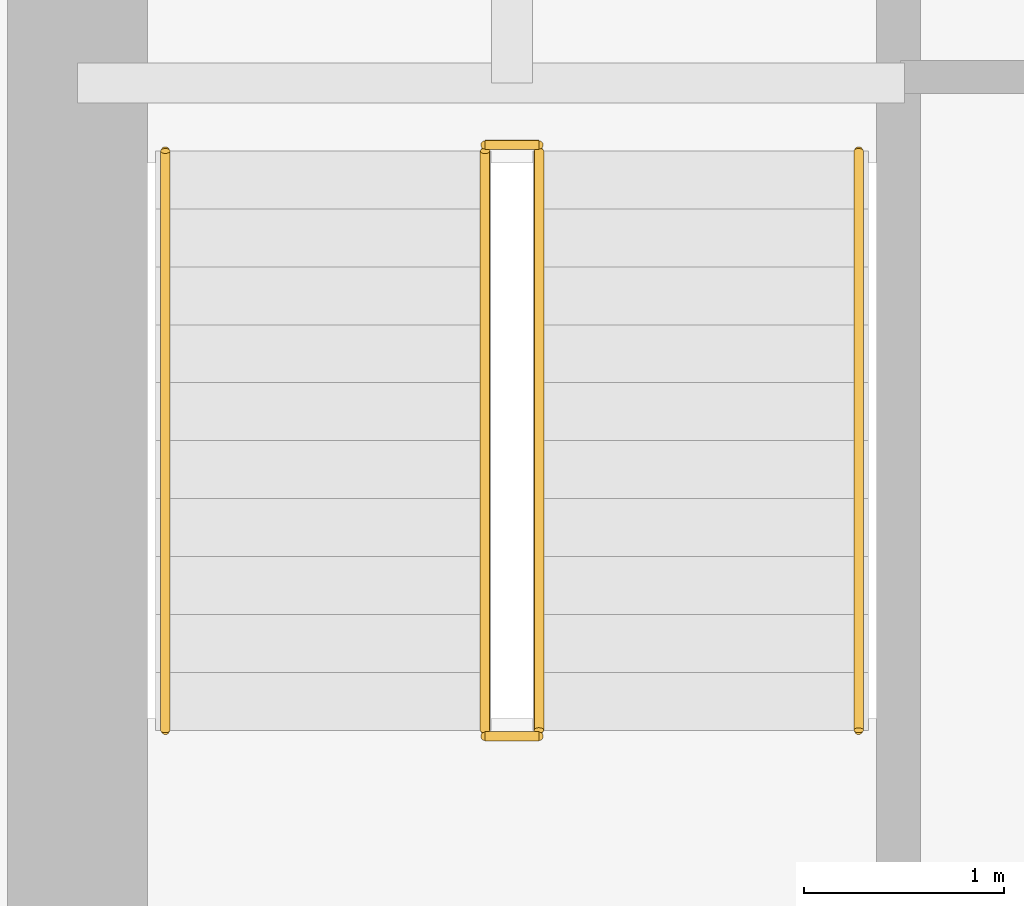
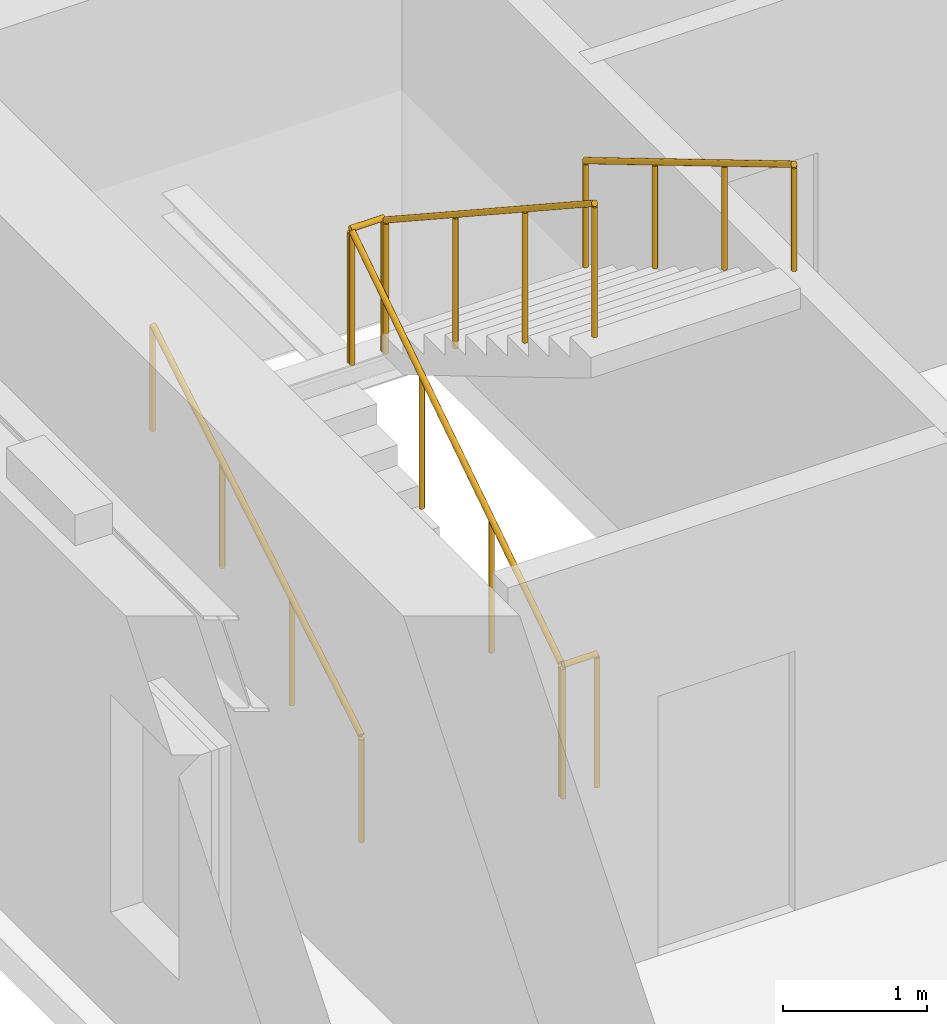
# One storey, part 9 of 11: 6 railings.
"""IFC4 building model written with IfcOpenShell, lengths in metres."""

from ifc_helpers import new_model, si_unit, direction, frame, origin, origin_2d, place, context, subcontext, project, spatial, circle, extrude, material, type_object, element, save


model = new_model("IFC4")

# Units and contexts
model_context = context("Model", 3, precision=1e-05, world=origin(), true_north=direction((0.0, 1.0)))
body_context = subcontext(model_context, "Body", "Model", "MODEL_VIEW")
ifc_project = project(units=[si_unit("LENGTHUNIT", "METRE"), si_unit("AREAUNIT", "SQUARE_METRE"), si_unit("VOLUMEUNIT", "CUBIC_METRE"), si_unit("PLANEANGLEUNIT", "RADIAN"), si_unit("MASSUNIT", "GRAM", prefix="KILO")], contexts=[model_context])

# Site, building, storey
site_placement = place(None, origin())
site = spatial("IfcSite", under=ifc_project, at=site_placement, CompositionType="ELEMENT")
building_placement = place(site_placement, origin())
building = spatial("IfcBuilding", under=site, at=building_placement, Name="Norrvale University Quadrangle", CompositionType="ELEMENT")
storey_placement = place(building_placement, frame((0.0, 0.0, 128.0)))
storey = spatial("IfcBuildingStorey", under=building, at=storey_placement, Name="L32", CompositionType="ELEMENT", Elevation=128.0)

# Railings
ifc_material_1 = material(Name="Steel 350W Painted Balustrade", Category="steel")
railing_type_1 = type_object("IfcRailingType", Name="Railing Stair Guard 1100", PredefinedType="GUARDRAIL", material=ifc_material_1)
for number, where, name in (
    (1, (4.239990234375, 42.02001953125, 0.0), "Stair Floor Well Guard ST-02 L32"),
    (2, (4.239990234375, 44.97998046875, 1.89990234375), "Stair Mid-Landing Slot Guard ST-02 L32"),
):
    element("IfcRailing", number, at=place(storey_placement, frame(where)), inside=storey, type_object=railing_type_1, Name=name, PredefinedType="GUARDRAIL", context=body_context, shape_type="SweptSolid", body=[
        extrude(circle(Radius=0.02392578125, at=origin_2d()), frame((0.0, 0.0, 1.1259765625), z_axis=(1.0, 0.0, 0.0), x_axis=(0.0, 1.0, 0.0)), (0.0, 0.0, 1.0), 0.27001953125),
        extrude(circle(Radius=0.02099609375, at=origin_2d()), origin(), (0.0, 0.0, 1.0), 1.101806640625),
        extrude(circle(Radius=0.02099609375, at=origin_2d()), frame((0.27001953125, 0.0, 0.0)), (0.0, 0.0, 1.0), 1.101806640625),
    ])
railing_1_placement = place(storey_placement, frame((4.239990234375, 42.050048828125, 0.0)))
element("IfcRailing", 3, at=railing_1_placement, inside=storey, type_object=railing_type_1, Name="Stair Lower Flight Inner Guard ST-02 L32", PredefinedType="GUARDRAIL", context=body_context, shape_type="SweptSolid", body=[
    extrude(circle(Radius=0.02392578125, at=origin_2d()), frame((0.0, 0.0, 1.1259765625), z_axis=(0.0, 0.836465582154, 0.548019461216), x_axis=(-1.0, 0.0, 0.0)), (0.0, 0.0, 1.0), 3.466796875),
    extrude(circle(Radius=0.02099609375, at=origin_2d()), origin(), (0.0, 0.0, 1.0), 1.101806640625),
    extrude(circle(Radius=0.02099609375, at=origin_2d()), frame((0.0, 0.966552734375, 0.63330078125)), (0.0, 0.0, 1.0), 1.101806640625),
    extrude(circle(Radius=0.02099609375, at=origin_2d()), frame((0.0, 1.933349609375, 1.2666015625)), (0.0, 0.0, 1.0), 1.101806640625),
    extrude(circle(Radius=0.02099609375, at=origin_2d()), frame((0.0, 2.89990234375, 1.89990234375)), (0.0, 0.0, 1.0), 1.101806640625),
])
railing_2_placement = place(storey_placement, frame((4.510009765625, 44.949951171875, 1.89990234375)))
element("IfcRailing", 4, at=railing_2_placement, inside=storey, type_object=railing_type_1, Name="Stair Upper Flight Inner Guard ST-02 L32", PredefinedType="GUARDRAIL", context=body_context, shape_type="SweptSolid", body=[
    extrude(circle(Radius=0.02392578125, at=origin_2d()), frame((0.0, 0.0, 1.1259765625), z_axis=(0.0, -0.836433300813, 0.548068730445), x_axis=(1.0, 0.0, 0.0)), (0.0, 0.0, 1.0), 3.467041015625),
    extrude(circle(Radius=0.02099609375, at=origin_2d()), origin(), (0.0, 0.0, 1.0), 1.101806640625),
    extrude(circle(Radius=0.02099609375, at=origin_2d()), frame((0.0, -0.966552734375, 0.63330078125)), (0.0, 0.0, 1.0), 1.101806640625),
    extrude(circle(Radius=0.02099609375, at=origin_2d()), frame((0.0, -1.933349609375, 1.266845703125)), (0.0, 0.0, 1.0), 1.101806640625),
    extrude(circle(Radius=0.02099609375, at=origin_2d()), frame((0.0, -2.89990234375, 1.900146484375)), (0.0, 0.0, 1.0), 1.101806640625),
])
ifc_material_2 = material(Name="Stainless Steel 316L Handrail", Category="steel")
railing_type_2 = type_object("IfcRailingType", Name="Railing Stair Handrail 920", PredefinedType="HANDRAIL", material=ifc_material_2)
railing_3_placement = place(storey_placement, frame((2.639892578125, 42.050048828125, 0.172607421875)))
element("IfcRailing", 5, at=railing_3_placement, inside=storey, type_object=railing_type_2, Name="Stair Lower Flight Handrail ST-02 L32", PredefinedType="HANDRAIL", context=body_context, shape_type="SweptSolid", body=[
    extrude(circle(Radius=0.02392578125, at=origin_2d()), frame((0.0, 0.0, 0.89599609375), z_axis=(0.0, 0.859141464434, 0.511738159696), x_axis=(-1.0, 0.0, 0.0)), (0.0, 0.0, 1.0), 3.375244140625),
    extrude(circle(Radius=0.02099609375, at=origin_2d()), origin(), (0.0, 0.0, 1.0), 0.871826171875),
    extrude(circle(Radius=0.02099609375, at=origin_2d()), frame((0.0, 0.966552734375, 0.57568359375)), (0.0, 0.0, 1.0), 0.871826171875),
    extrude(circle(Radius=0.02099609375, at=origin_2d()), frame((0.0, 1.933349609375, 1.151611328125)), (0.0, 0.0, 1.0), 0.871826171875),
    extrude(circle(Radius=0.02099609375, at=origin_2d()), frame((0.0, 2.89990234375, 1.727294921875)), (0.0, 0.0, 1.0), 0.871826171875),
])
railing_4_placement = place(storey_placement, frame((6.110107421875, 44.949951171875, 2.07275390625)))
element("IfcRailing", 6, at=railing_4_placement, inside=storey, type_object=railing_type_2, Name="Stair Upper Flight Handrail ST-02 L32", PredefinedType="HANDRAIL", context=body_context, shape_type="SweptSolid", body=[
    extrude(circle(Radius=0.02392578125, at=origin_2d()), frame((0.0, 0.0, 0.89599609375), z_axis=(0.0, -0.859141464434, 0.511738159696), x_axis=(1.0, 0.0, 0.0)), (0.0, 0.0, 1.0), 3.375244140625),
    extrude(circle(Radius=0.02099609375, at=origin_2d()), origin(), (0.0, 0.0, 1.0), 0.871826171875),
    extrude(circle(Radius=0.02099609375, at=origin_2d()), frame((0.0, -0.966552734375, 0.57568359375)), (0.0, 0.0, 1.0), 0.871826171875),
    extrude(circle(Radius=0.02099609375, at=origin_2d()), frame((0.0, -1.933349609375, 1.151611328125)), (0.0, 0.0, 1.0), 0.871826171875),
    extrude(circle(Radius=0.02099609375, at=origin_2d()), frame((0.0, -2.89990234375, 1.727294921875)), (0.0, 0.0, 1.0), 0.871826171875),
])

save(model, "model.ifc")
